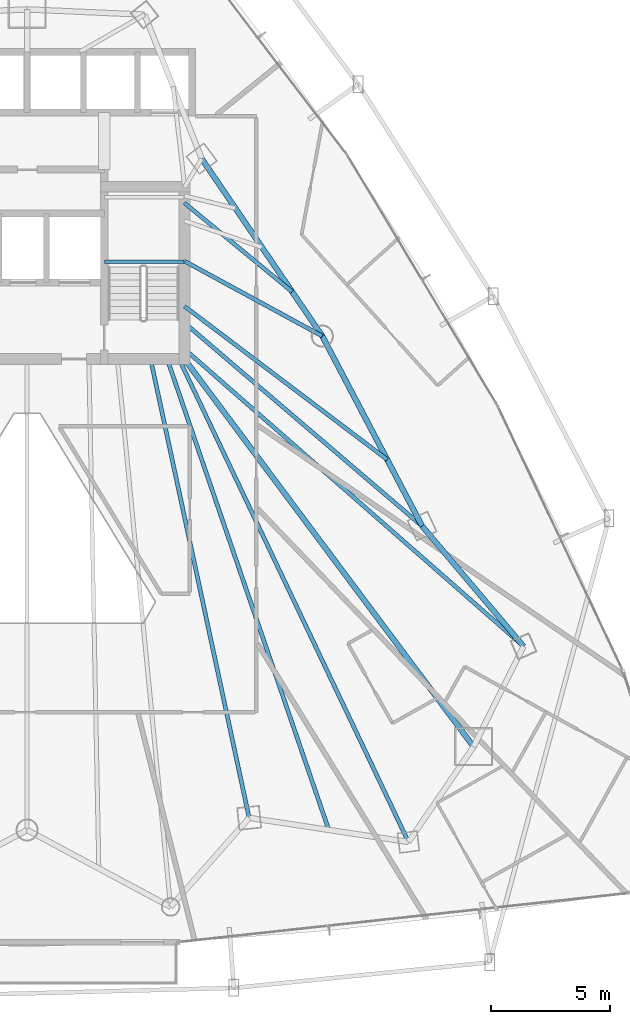
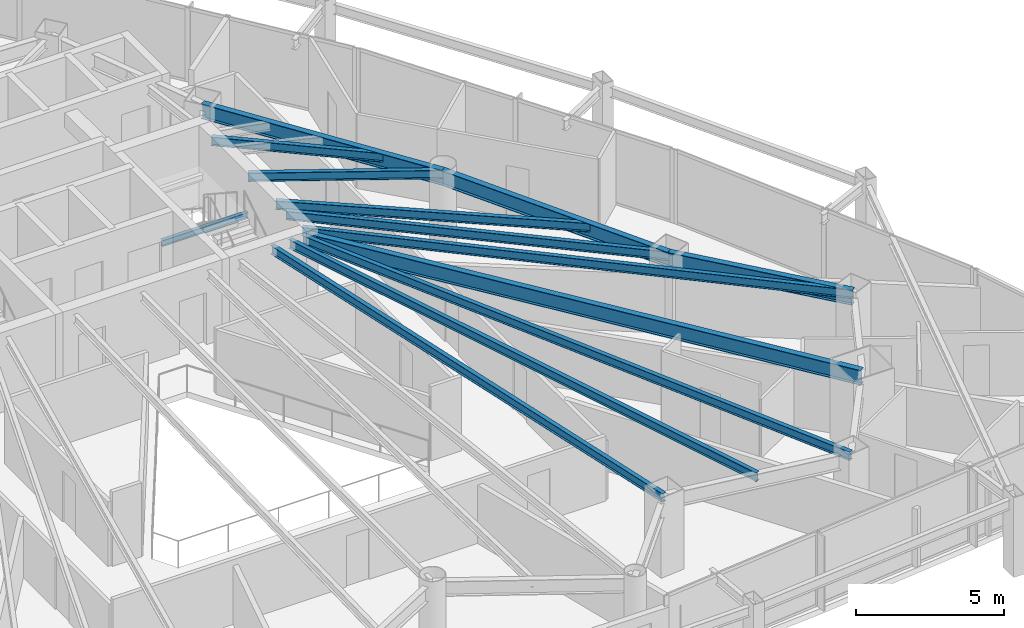
# One storey, part 17 of 34: 13 beams.
"""IFC4 building model written with IfcOpenShell, lengths in metres."""

from ifc_helpers import new_model, si_unit, direction, frame, origin, origin_2d, place, context, subcontext, project, spatial, i_section, extrude, material, material_profile, profile_set, type_object, element, save


model = new_model("IFC4")

# Units and contexts
model_context = context("Model", 3, precision=1e-05, world=origin(), true_north=direction((0.0, 1.0)))
body_context = subcontext(model_context, "Body", "Model", "MODEL_VIEW")
ifc_project = project(units=[si_unit("LENGTHUNIT", "METRE"), si_unit("AREAUNIT", "SQUARE_METRE"), si_unit("VOLUMEUNIT", "CUBIC_METRE"), si_unit("PLANEANGLEUNIT", "RADIAN"), si_unit("MASSUNIT", "GRAM", prefix="KILO")], contexts=[model_context])

# Site, building, storey
site_placement = place(None, origin())
site = spatial("IfcSite", under=ifc_project, at=site_placement, CompositionType="ELEMENT")
building_placement = place(site_placement, origin())
building = spatial("IfcBuilding", under=site, at=building_placement, Name="Orvanel Arch Residences", CompositionType="ELEMENT")
storey_placement = place(building_placement, frame((0.0, 0.0, 77.449951171875)))
storey = spatial("IfcBuildingStorey", under=building, at=storey_placement, Name="L21", CompositionType="ELEMENT", Elevation=77.449951171875)

# Beams
ifc_material = material(Name="Structural steel AS/NZS 3679.1 Grade 300 (300 MPa)", Category="steel")
ifc_material_profile_1 = material_profile(ifc_material, i_section(OverallWidth=0.22900390625, OverallDepth=0.612060546875, WebThickness=0.011962890625, FlangeThickness=0.01953125, at=origin_2d()), Name="610UB125")
ifc_profile_set_1 = profile_set([ifc_material_profile_1], Name="Structural steel AS/NZS 3679.1 Grade 300 (300 MPa)")
beam_type_1 = type_object("IfcBeamType", Name="BG-610UB", PredefinedType="BEAM", material=ifc_profile_set_1)
beam_1_placement = place(storey_placement, frame((39.625, 26.675048828125, 2.754150390625), z_axis=(0.597893733742, -0.801575375839, 0.0), x_axis=(0.801575375839, 0.597893733742, 0.0)))
element("IfcBeam", 1, at=beam_1_placement, inside=storey, type_object=beam_type_1, Name="L21 South-East Radial Girder", PredefinedType="BEAM", context=body_context, shape_type="SweptSolid", body=[
    extrude(i_section(OverallWidth=0.22900390625, OverallDepth=0.612060546875, WebThickness=0.011962890625, FlangeThickness=0.01953125, at=origin_2d()), origin(), (0.0, 0.0, 1.0), 20.36474609375),
])
ifc_material_profile_2 = material_profile(ifc_material, i_section(OverallWidth=0.14599609375, OverallDepth=0.251953125, WebThickness=0.006103515625, FlangeThickness=0.008544921875, at=origin_2d()), Name="250UB31.4")
ifc_profile_set_2 = profile_set([ifc_material_profile_2], Name="Structural steel AS/NZS 3679.1 Grade 300 (300 MPa)")
beam_type_2 = type_object("IfcBeamType", Name="BJ-250UB", PredefinedType="JOIST", material=ifc_profile_set_2)
beam_2_placement = place(storey_placement, frame((36.25, 30.780029296875, 1.323974609375), z_axis=(1.0, 0.0, 0.0), x_axis=(0.0, 1.0, 0.0)))
element("IfcBeam", 2, at=beam_2_placement, inside=storey, type_object=beam_type_2, Name="L21 ST-2 Half-Landing Support Beam 1.1", PredefinedType="JOIST", context=body_context, shape_type="SweptSolid", body=[
    extrude(i_section(OverallWidth=0.14599609375, OverallDepth=0.251953125, WebThickness=0.006103515625, FlangeThickness=0.008544921875, at=origin_2d()), origin(), (0.0, 0.0, 1.0), 3.35009765625),
])
ifc_material_profile_3 = material_profile(ifc_material, i_section(OverallWidth=0.1708984375, OverallDepth=0.35595703125, WebThickness=0.00732421875, FlangeThickness=0.011474609375, at=origin_2d()), Name="360UB50.7")
ifc_profile_set_3 = profile_set([ifc_material_profile_3], Name="Structural steel AS/NZS 3679.1 Grade 300 (300 MPa)")
beam_type_3 = type_object("IfcBeamType", Name="BJ-360UB", PredefinedType="JOIST", material=ifc_profile_set_3)
beam_3_placement = place(storey_placement, frame((39.625, 30.800048828125, 2.882080078125), z_axis=(0.878399029914, -0.477927969726, 0.0), x_axis=(0.477927969726, 0.878399029914, 0.0)))
element("IfcBeam", 3, at=beam_3_placement, inside=storey, type_object=beam_type_3, Name="L21 NE Wing Floor Joist", PredefinedType="JOIST", context=body_context, shape_type="SweptSolid", body=[
    extrude(i_section(OverallWidth=0.1708984375, OverallDepth=0.35595703125, WebThickness=0.00732421875, FlangeThickness=0.011474609375, at=origin_2d()), origin(), (0.0, 0.0, 1.0), 6.609619140625),
])
beam_4_placement = place(storey_placement, frame((39.625, 28.199951171875, 2.882080078125), z_axis=(0.760024297953, -0.649894658018, 0.0), x_axis=(0.649894658018, 0.760024297953, 0.0)))
element("IfcBeam", 4, at=beam_4_placement, inside=storey, type_object=beam_type_3, Name="L21 E Wing Floor Joist", PredefinedType="JOIST", context=body_context, shape_type="SweptSolid", body=[
    extrude(i_section(OverallWidth=0.1708984375, OverallDepth=0.35595703125, WebThickness=0.00732421875, FlangeThickness=0.011474609375, at=origin_2d()), origin(), (0.0, 0.0, 1.0), 13.16796875),
])
beam_5_placement = place(storey_placement, frame((38.199951171875, 26.675048828125, 2.882080078125), z_axis=(0.210066515515, -0.977687096703, 0.0), x_axis=(0.977687096703, 0.210066515515, 0.0)))
element("IfcBeam", 5, at=beam_5_placement, inside=storey, type_object=beam_type_3, Name="L21 SE Wing Floor Joist", PredefinedType="JOIST", context=body_context, shape_type="SweptSolid", body=[
    extrude(i_section(OverallWidth=0.1708984375, OverallDepth=0.35595703125, WebThickness=0.00732421875, FlangeThickness=0.011474609375, at=origin_2d()), origin(), (0.0, 0.0, 1.0), 19.760986328125),
])
beam_6_placement = place(storey_placement, frame((39.625, 27.10009765625, 2.882080078125), z_axis=(0.751924114057, -0.659249669472, 0.0), x_axis=(0.659249669472, 0.751924114057, 0.0)))
element("IfcBeam", 6, at=beam_6_placement, inside=storey, type_object=beam_type_3, Name="L21 ME Wing Floor Joist", PredefinedType="JOIST", context=body_context, shape_type="SweptSolid", body=[
    extrude(i_section(OverallWidth=0.1708984375, OverallDepth=0.35595703125, WebThickness=0.00732421875, FlangeThickness=0.011474609375, at=origin_2d()), origin(), (0.0, 0.0, 1.0), 18.9912109375),
])
beam_7_placement = place(storey_placement, frame((39.39990234375, 26.675048828125, 2.882080078125), z_axis=(0.429042657795, -0.903284228686, 0.0), x_axis=(0.903284228686, 0.429042657795, 0.0)))
element("IfcBeam", 7, at=beam_7_placement, inside=storey, type_object=beam_type_3, Name="L21 MSE Wing Floor Joist", PredefinedType="JOIST", context=body_context, shape_type="SweptSolid", body=[
    extrude(i_section(OverallWidth=0.1708984375, OverallDepth=0.35595703125, WebThickness=0.00732421875, FlangeThickness=0.011474609375, at=origin_2d()), origin(), (0.0, 0.0, 1.0), 22.513427734375),
])
beam_8_placement = place(storey_placement, frame((39.625, 33.25, 2.882080078125), z_axis=(0.771468562814, -0.636267441089, 0.0), x_axis=(0.636267441089, 0.771468562814, 0.0)))
element("IfcBeam", 8, at=beam_8_placement, inside=storey, type_object=beam_type_3, Name="L21 LE Wing Floor Joist", PredefinedType="JOIST", context=body_context, shape_type="SweptSolid", body=[
    extrude(i_section(OverallWidth=0.1708984375, OverallDepth=0.35595703125, WebThickness=0.00732421875, FlangeThickness=0.011474609375, at=origin_2d()), origin(), (0.0, 0.0, 1.0), 5.879638671875),
])
beam_9_placement = place(storey_placement, frame((39.625, 28.89990234375, 2.882080078125), z_axis=(0.797519083104, -0.60329371958, 0.0), x_axis=(0.60329371958, 0.797519083104, 0.0)))
element("IfcBeam", 9, at=beam_9_placement, inside=storey, type_object=beam_type_3, Name="L21 CTE Wing Floor Joist", PredefinedType="JOIST", context=body_context, shape_type="SweptSolid", body=[
    extrude(i_section(OverallWidth=0.1708984375, OverallDepth=0.35595703125, WebThickness=0.00732421875, FlangeThickness=0.011474609375, at=origin_2d()), origin(), (0.0, 0.0, 1.0), 10.70458984375),
])
beam_10_placement = place(storey_placement, frame((38.89990234375, 26.675048828125, 2.882080078125), z_axis=(0.324621456495, -0.945844019901, 0.0), x_axis=(0.945844019901, 0.324621456495, 0.0)))
element("IfcBeam", 10, at=beam_10_placement, inside=storey, type_object=beam_type_3, Name="L21 JADD2 Wing Floor Joist", PredefinedType="JOIST", context=body_context, shape_type="SweptSolid", body=[
    extrude(i_section(OverallWidth=0.1708984375, OverallDepth=0.35595703125, WebThickness=0.00732421875, FlangeThickness=0.011474609375, at=origin_2d()), origin(), (0.0, 0.0, 1.0), 20.96337890625),
])
ifc_material_profile_4 = material_profile(ifc_material, i_section(OverallWidth=0.22900390625, OverallDepth=0.612060546875, WebThickness=0.011962890625, FlangeThickness=0.01953125, at=origin_2d()), Name="610UB125")
ifc_profile_set_4 = profile_set([ifc_material_profile_4], Name="Structural steel AS/NZS 3679.1 Grade 300 (300 MPa)")
beam_type_4 = type_object("IfcBeamType", Name="SP-610UB", PredefinedType="SPANDREL", material=ifc_profile_set_4)
beam_11_placement = place(storey_placement, frame((53.905029296875, 14.580078125, 2.754150390625), z_axis=(-0.644950329775, 0.764224490659, 0.0), x_axis=(-0.764224490659, -0.644950329775, 0.0)))
element("IfcBeam", 11, at=beam_11_placement, inside=storey, type_object=beam_type_4, Name="L21 Perimeter Spandrel Beam 12", PredefinedType="SPANDREL", context=body_context, shape_type="SweptSolid", body=[
    extrude(i_section(OverallWidth=0.22900390625, OverallDepth=0.612060546875, WebThickness=0.011962890625, FlangeThickness=0.01953125, at=origin_2d()), origin(), (0.0, 0.0, 1.0), 6.623779296875),
])
beam_12_placement = place(storey_placement, frame((49.633056640625, 19.64208984375, 2.754150390625), z_axis=(-0.465064762793, 0.885276660942, 0.0), x_axis=(-0.885276660942, -0.465064762793, 0.0)))
element("IfcBeam", 12, at=beam_12_placement, inside=storey, type_object=beam_type_4, Name="L21 Perimeter Spandrel Beam 13", PredefinedType="SPANDREL", context=body_context, shape_type="SweptSolid", body=[
    extrude(i_section(OverallWidth=0.22900390625, OverallDepth=0.612060546875, WebThickness=0.011962890625, FlangeThickness=0.01953125, at=origin_2d()), origin(), (0.0, 0.0, 1.0), 9.03564453125),
])
beam_13_placement = place(storey_placement, frame((45.430908203125, 27.64111328125, 2.754150390625), z_axis=(-0.562154793153, 0.827032035978, 0.0), x_axis=(-0.827032035978, -0.562154793153, 0.0)))
element("IfcBeam", 13, at=beam_13_placement, inside=storey, type_object=beam_type_4, Name="L21 Perimeter Spandrel Beam 14", PredefinedType="SPANDREL", context=body_context, shape_type="SweptSolid", body=[
    extrude(i_section(OverallWidth=0.22900390625, OverallDepth=0.612060546875, WebThickness=0.011962890625, FlangeThickness=0.01953125, at=origin_2d()), origin(), (0.0, 0.0, 1.0), 9.03466796875),
])

save(model, "model.ifc")
